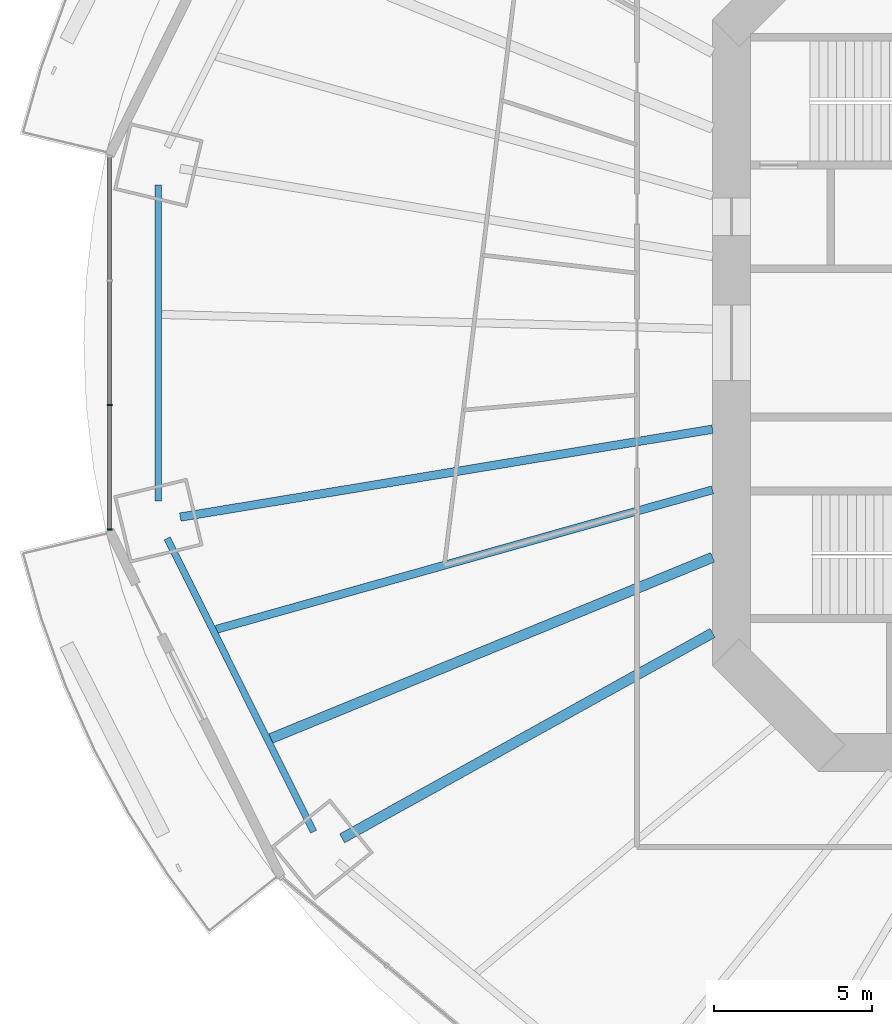
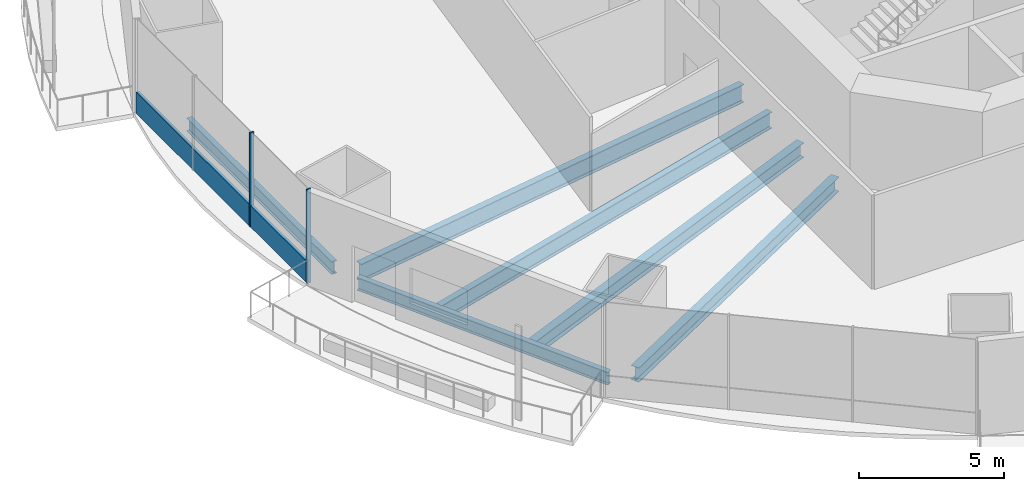
# One storey, part 3 of 23: 6 beams, 3 members, 1 element without a shape of its own.
"""IFC4 building model written with IfcOpenShell, lengths in metres."""

from ifc_helpers import new_model, si_unit, direction, frame, origin, origin_2d, place, context, subcontext, project, spatial, rectangle, i_section, extrude, material, material_profile, profile_set, type_object, element, aggregate, save


model = new_model("IFC4")

# Units and contexts
model_context = context("Model", 3, precision=1e-05, world=origin(), true_north=direction((0.0, 1.0)))
body_context = subcontext(model_context, "Body", "Model", "MODEL_VIEW")
ifc_project = project(units=[si_unit("LENGTHUNIT", "METRE"), si_unit("AREAUNIT", "SQUARE_METRE"), si_unit("VOLUMEUNIT", "CUBIC_METRE"), si_unit("PLANEANGLEUNIT", "RADIAN"), si_unit("MASSUNIT", "GRAM", prefix="KILO")], contexts=[model_context])

# Site, building, storey
site_placement = place(None, origin())
site = spatial("IfcSite", under=ifc_project, at=site_placement, CompositionType="ELEMENT")
building_placement = place(site_placement, origin())
building = spatial("IfcBuilding", under=site, at=building_placement, Name="Marenthal Gate Tower", CompositionType="ELEMENT")
storey_placement = place(building_placement, frame((0.0, 0.0, 49.60009765625)))
storey = spatial("IfcBuildingStorey", under=building, at=storey_placement, Name="L08", CompositionType="ELEMENT", Elevation=49.60009765625)

# Curtain wall, members
ifc_material_1 = material(Name="Aluminium and glass", Category="aluminium")
curtain_wall_type = type_object("IfcCurtainWallType", Name="Curtain wall typical low", PredefinedType="NOTDEFINED", material=ifc_material_1)
curtain_wall_placement = place(storey_placement, origin())
curtain_wall = element("IfcCurtainWall", 1, at=curtain_wall_placement, inside=storey, type_object=curtain_wall_type, Name="Curtain wall L08 bay 8", PredefinedType="NOTDEFINED")
ifc_material_2 = material(Name="Aluminium", Category="aluminium")
ifc_material_profile_1 = material_profile(ifc_material_2, rectangle(XDim=0.159912109375, YDim=0.06005859375, at=origin_2d()), Name="60x160 aluminium mullion")
ifc_profile_set_1 = profile_set([ifc_material_profile_1], Name="Aluminium")
member_type_1 = type_object("IfcMemberType", Name="Mullion 60x160 typical low", PredefinedType="MULLION", material=ifc_profile_set_1)
member_1_placement = place(storey_placement, frame((-35.73779296875, -1.974365234375, 0.0), z_axis=(0.0, 0.0, 1.0), x_axis=(1.0, 0.0, 0.0)))
member_1 = element("IfcMember", 2, at=member_1_placement, type_object=member_type_1, Name="Mullion L08 bay 8.3", PredefinedType="MULLION", context=body_context, shape_type="SweptSolid", body=[
    extrude(rectangle(XDim=0.159912109375, YDim=0.06005859375, at=origin_2d()), origin(), (0.0, 0.0, 1.0), 3.969970703125),
])
member_2_placement = place(storey_placement, frame((-35.73779296875, -5.923095703125, 0.0), z_axis=(0.0, 0.0, 1.0), x_axis=(1.0, 0.0, 0.0)))
member_2 = element("IfcMember", 3, at=member_2_placement, type_object=member_type_1, Name="Mullion L08 bay 8.4", PredefinedType="MULLION", context=body_context, shape_type="SweptSolid", body=[
    extrude(rectangle(XDim=0.159912109375, YDim=0.06005859375, at=origin_2d()), origin(), (0.0, 0.0, 1.0), 3.969970703125),
])
ifc_material_3 = material(Name="Aluminium", Category="aluminium")
ifc_material_profile_2 = material_profile(ifc_material_3, rectangle(XDim=0.1201171875, YDim=0.89990234375, at=origin_2d()), Name="120x900 aluminium transom")
ifc_profile_set_2 = profile_set([ifc_material_profile_2], Name="Aluminium")
member_type_2 = type_object("IfcMemberType", Name="Transom 120x900 typical low", PredefinedType="USERDEFINED", material=ifc_profile_set_2)
member_3_placement = place(storey_placement, frame((-35.73779296875, 5.893310546875, 0.449951171875), z_axis=(0.0, -1.0, 0.0), x_axis=(1.0, 0.0, 0.0)))
member_3 = element("IfcMember", 4, at=member_3_placement, type_object=member_type_2, Name="Transom L08 bay 8", ObjectType="TRANSOM", PredefinedType="USERDEFINED", context=body_context, shape_type="SweptSolid", body=[
    extrude(rectangle(XDim=0.1201171875, YDim=0.89990234375, at=origin_2d()), origin(), (0.0, 0.0, 1.0), 11.78662109375),
])
aggregate(curtain_wall, [member_1, member_2, member_3])

# Beams
ifc_material_4 = material(Name="Steel S355", Category="steel")
ifc_material_profile_3 = material_profile(ifc_material_4, i_section(OverallWidth=0.2119140625, OverallDepth=0.5439453125, WebThickness=0.01318359375, FlangeThickness=0.021240234375, FilletRadius=0.0126953125, at=origin_2d()), Name="W530X123")
ifc_profile_set_3 = profile_set([ifc_material_profile_3], Name="Steel S355")
beam_type_1 = type_object("IfcBeamType", Name="W530X123 beam", PredefinedType="BEAM", material=ifc_profile_set_3)
beam_1_placement = place(storey_placement, frame((-34.188232421875, 5.013916015625, -0.4521484375), z_axis=(0.0, -1.0, 0.0), x_axis=(1.0, 0.0, 0.0)))
element("IfcBeam", 5, at=beam_1_placement, inside=storey, type_object=beam_type_1, Name="BM-L08-48", PredefinedType="BEAM", context=body_context, shape_type="SweptSolid", body=[
    extrude(i_section(OverallWidth=0.2119140625, OverallDepth=0.5439453125, WebThickness=0.01318359375, FlangeThickness=0.021240234375, FilletRadius=0.0126953125, at=origin_2d()), origin(), (0.0, 0.0, 1.0), 10.02783203125),
])
beam_2_placement = place(storey_placement, frame((-33.9072265625, -6.207763671875, -0.4521484375), z_axis=(0.446499954542, -0.894783655748, 0.0), x_axis=(0.894783655748, 0.446499954542, 0.0)))
element("IfcBeam", 6, at=beam_2_placement, inside=storey, type_object=beam_type_1, Name="BM-L08-49", PredefinedType="BEAM", context=body_context, shape_type="SweptSolid", body=[
    extrude(i_section(OverallWidth=0.2119140625, OverallDepth=0.5439453125, WebThickness=0.01318359375, FlangeThickness=0.021240234375, FilletRadius=0.0126953125, at=origin_2d()), origin(), (0.0, 0.0, 1.0), 10.402099609375),
])
ifc_material_5 = material(Name="Steel S355", Category="steel")
ifc_material_profile_4 = material_profile(ifc_material_5, i_section(OverallWidth=0.324951171875, OverallDepth=0.612060546875, WebThickness=0.0126953125, FlangeThickness=0.01904296875, FilletRadius=0.0126953125, at=origin_2d()), Name="W610X155")
ifc_profile_set_4 = profile_set([ifc_material_profile_4], Name="Steel S355")
beam_type_2 = type_object("IfcBeamType", Name="W610X155 beam", PredefinedType="BEAM", material=ifc_profile_set_4)
beam_3_placement = place(storey_placement, frame((-28.355712890625, -15.727294921875, -0.486083984375), z_axis=(0.874492882968, 0.485038346565, 0.0), x_axis=(-0.485038346565, 0.874492882968, 0.0)))
element("IfcBeam", 7, at=beam_3_placement, inside=storey, type_object=beam_type_2, Name="BM-L08-10", PredefinedType="BEAM", context=body_context, shape_type="SweptSolid", body=[
    extrude(i_section(OverallWidth=0.324951171875, OverallDepth=0.612060546875, WebThickness=0.0126953125, FlangeThickness=0.01904296875, FilletRadius=0.0126953125, at=origin_2d()), origin(), (0.0, 0.0, 1.0), 13.44287109375),
])
beam_4_placement = place(storey_placement, frame((-30.6201171875, -12.55810546875, -0.486083984375), z_axis=(0.925210391668, 0.379454517894, 0.0), x_axis=(-0.379454517894, 0.925210391668, 0.0)))
element("IfcBeam", 8, at=beam_4_placement, inside=storey, type_object=beam_type_2, Name="BM-L08-30", PredefinedType="BEAM", context=body_context, shape_type="SweptSolid", body=[
    extrude(i_section(OverallWidth=0.324951171875, OverallDepth=0.612060546875, WebThickness=0.0126953125, FlangeThickness=0.01904296875, FilletRadius=0.0126953125, at=origin_2d()), origin(), (0.0, 0.0, 1.0), 15.1533203125),
])
ifc_material_6 = material(Name="Steel S355", Category="steel")
ifc_material_profile_5 = material_profile(ifc_material_6, i_section(OverallWidth=0.257080078125, OverallDepth=0.693115234375, WebThickness=0.014404296875, FlangeThickness=0.023681640625, FilletRadius=0.015380859375, at=origin_2d()), Name="W690X170")
ifc_profile_set_5 = profile_set([ifc_material_profile_5], Name="Steel S355")
beam_type_3 = type_object("IfcBeamType", Name="W690X170 beam", PredefinedType="BEAM", material=ifc_profile_set_5)
beam_5_placement = place(storey_placement, frame((-32.349365234375, -9.092529296875, -0.526611328125), z_axis=(0.962694320478, 0.27059128833, 0.0), x_axis=(-0.27059128833, 0.962694320478, 0.0)))
element("IfcBeam", 9, at=beam_5_placement, inside=storey, type_object=beam_type_3, Name="BM-L08-29", PredefinedType="BEAM", context=body_context, shape_type="SweptSolid", body=[
    extrude(i_section(OverallWidth=0.257080078125, OverallDepth=0.693115234375, WebThickness=0.014404296875, FlangeThickness=0.023681640625, FilletRadius=0.015380859375, at=origin_2d()), origin(), (0.0, 0.0, 1.0), 16.359619140625),
])
ifc_material_7 = material(Name="Steel S355", Category="steel")
ifc_material_profile_6 = material_profile(ifc_material_7, i_section(OverallWidth=0.26708984375, OverallDepth=0.761962890625, WebThickness=0.014404296875, FlangeThickness=0.021484375, FilletRadius=0.0166015625, at=origin_2d()), Name="W760X173")
ifc_profile_set_6 = profile_set([ifc_material_profile_6], Name="Steel S355")
beam_type_4 = type_object("IfcBeamType", Name="W760X173 beam", PredefinedType="BEAM", material=ifc_profile_set_6)
beam_6_placement = place(storey_placement, frame((-33.494384765625, -5.530517578125, -0.56103515625), z_axis=(0.986640584699, 0.162912113192, 0.0), x_axis=(-0.162912113192, 0.986640584699, 0.0)))
element("IfcBeam", 10, at=beam_6_placement, inside=storey, type_object=beam_type_4, Name="BM-L08-09", PredefinedType="BEAM", context=body_context, shape_type="SweptSolid", body=[
    extrude(i_section(OverallWidth=0.26708984375, OverallDepth=0.761962890625, WebThickness=0.014404296875, FlangeThickness=0.021484375, FilletRadius=0.0166015625, at=origin_2d()), origin(), (0.0, 0.0, 1.0), 17.123046875),
])

save(model, "model.ifc")
